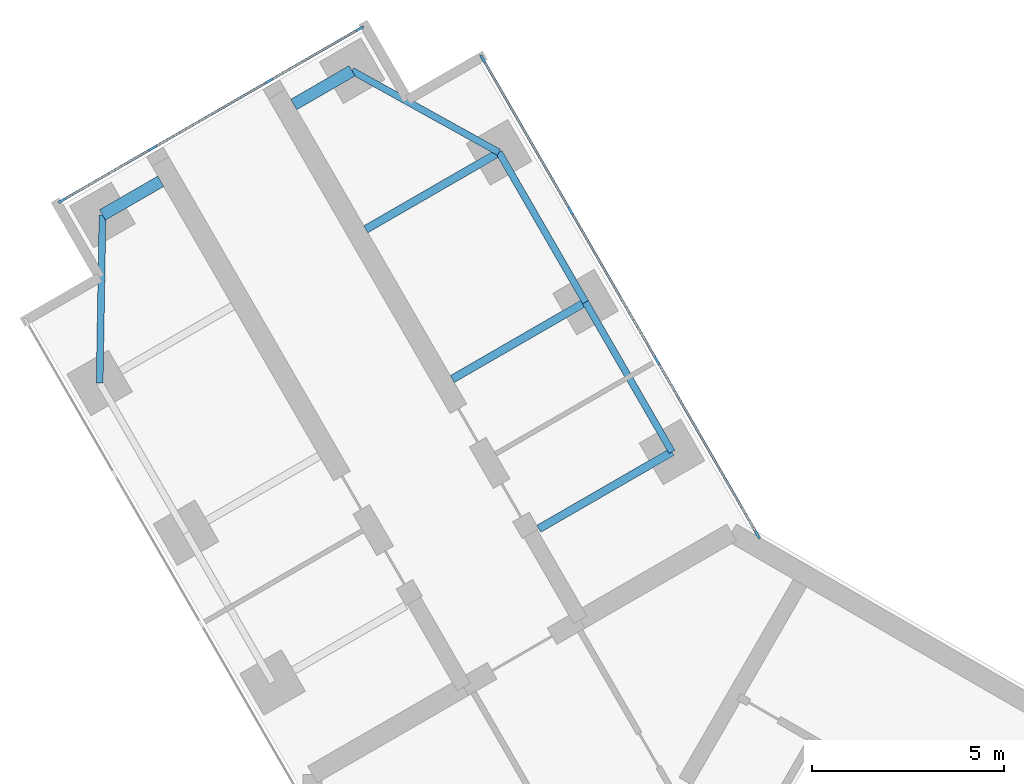
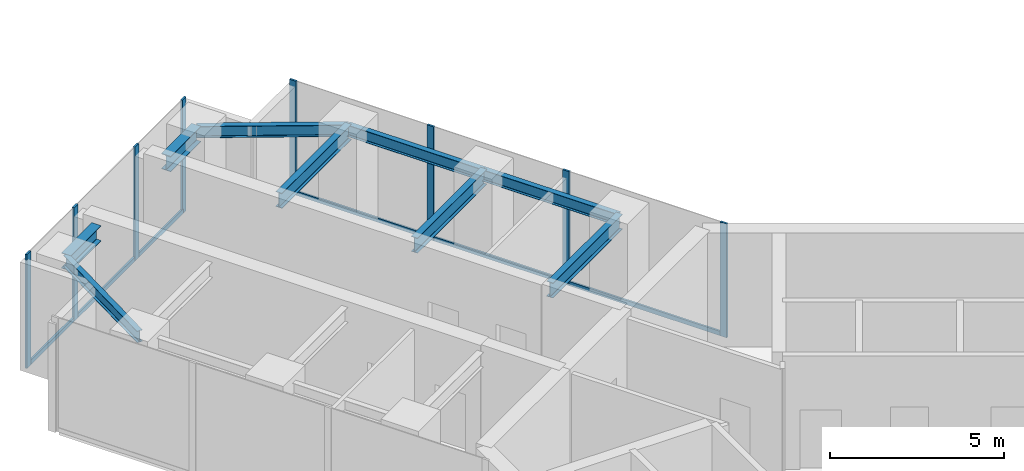
# One storey, part 6 of 18: 14 members, 9 beams, 2 elements without a shape of their own.
"""IFC4 building model written with IfcOpenShell, lengths in metres."""

from ifc_helpers import new_model, si_unit, direction, frame, origin, origin_2d, place, context, subcontext, project, spatial, rectangle, i_section, extrude, material, material_profile, profile_set, type_object, element, aggregate, save


model = new_model("IFC4")

# Units and contexts
model_context = context("Model", 3, precision=1e-05, world=origin(), true_north=direction((0.0, 1.0)))
body_context = subcontext(model_context, "Body", "Model", "MODEL_VIEW")
ifc_project = project(units=[si_unit("LENGTHUNIT", "METRE"), si_unit("AREAUNIT", "SQUARE_METRE"), si_unit("VOLUMEUNIT", "CUBIC_METRE"), si_unit("PLANEANGLEUNIT", "RADIAN"), si_unit("MASSUNIT", "GRAM", prefix="KILO")], contexts=[model_context])

# Site, building, storey
site_placement = place(None, origin())
site = spatial("IfcSite", under=ifc_project, at=site_placement, CompositionType="ELEMENT")
building_placement = place(site_placement, origin())
building = spatial("IfcBuilding", under=site, at=building_placement, Name="Upepo Twin Towers", CompositionType="ELEMENT")
storey_placement = place(building_placement, frame((0.0, 0.0, 170.5)))
storey = spatial("IfcBuildingStorey", under=building, at=storey_placement, Name="L41", CompositionType="ELEMENT", Elevation=170.5)

# Beams
ifc_material_1 = material(Name="Steel S355", Category="steel")
ifc_material_profile_1 = material_profile(ifc_material_1, i_section(OverallWidth=0.177978515625, OverallDepth=0.406494140625, WebThickness=0.0078125, FlangeThickness=0.0126953125, FilletRadius=0.01025390625, at=origin_2d()), Name="UB 406x178x60")
ifc_profile_set_1 = profile_set([ifc_material_profile_1], Name="Steel S355")
beam_type_1 = type_object("IfcBeamType", Name="Beam UB 406x178x60", PredefinedType="BEAM", material=ifc_profile_set_1)
beam_1_placement = place(storey_placement, frame((-16.446044921875, 16.485595703125, 3.5966796875), z_axis=(0.016803880528, 0.999858804832, 0.0), x_axis=(-0.999858804832, 0.016803880528, 0.0)))
element("IfcBeam", 1, at=beam_1_placement, inside=storey, type_object=beam_type_1, Name="T1 nose edge beam BL", PredefinedType="BEAM", context=body_context, shape_type="SweptSolid", body=[
    extrude(i_section(OverallWidth=0.177978515625, OverallDepth=0.406494140625, WebThickness=0.0078125, FlangeThickness=0.0126953125, FilletRadius=0.01025390625, at=origin_2d()), origin(), (0.0, 0.0, 1.0), 4.373291015625),
])
beam_2_placement = place(storey_placement, frame((-1.553955078125, 14.69140625, 3.5966796875), z_axis=(-0.500013631625, 0.866017533419, 0.0), x_axis=(-0.866017533419, -0.500013631625, 0.0)))
element("IfcBeam", 2, at=beam_2_placement, inside=storey, type_object=beam_type_1, Name="T1 edge beam BR 13.5-18.0", PredefinedType="BEAM", context=body_context, shape_type="SweptSolid", body=[
    extrude(i_section(OverallWidth=0.177978515625, OverallDepth=0.406494140625, WebThickness=0.0078125, FlangeThickness=0.0126953125, FilletRadius=0.01025390625, at=origin_2d()), origin(), (0.0, 0.0, 1.0), 4.499755859375),
])
beam_3_placement = place(storey_placement, frame((-3.803955078125, 18.58837890625, 3.5966796875), z_axis=(-0.499990139034, 0.866031096941, 0.0), x_axis=(-0.866031096941, -0.499990139034, 0.0)))
element("IfcBeam", 3, at=beam_3_placement, inside=storey, type_object=beam_type_1, Name="T1 edge beam BR 18.0-22.5", PredefinedType="BEAM", context=body_context, shape_type="SweptSolid", body=[
    extrude(i_section(OverallWidth=0.177978515625, OverallDepth=0.406494140625, WebThickness=0.0078125, FlangeThickness=0.0126953125, FilletRadius=0.01025390625, at=origin_2d()), origin(), (0.0, 0.0, 1.0), 4.5),
])
beam_4_placement = place(storey_placement, frame((-6.053955078125, 22.485595703125, 3.5966796875), z_axis=(-0.874312600038, 0.485363242752, 0.0), x_axis=(-0.485363242752, -0.874312600038, 0.0)))
element("IfcBeam", 4, at=beam_4_placement, inside=storey, type_object=beam_type_1, Name="T1 nose edge beam BR", PredefinedType="BEAM", context=body_context, shape_type="SweptSolid", body=[
    extrude(i_section(OverallWidth=0.177978515625, OverallDepth=0.406494140625, WebThickness=0.0078125, FlangeThickness=0.0126953125, FilletRadius=0.01025390625, at=origin_2d()), origin(), (0.0, 0.0, 1.0), 4.373046875),
])
ifc_material_2 = material(Name="Steel S355", Category="steel")
ifc_material_profile_2 = material_profile(ifc_material_2, i_section(OverallWidth=0.209228515625, OverallDepth=0.533203125, WebThickness=0.010009765625, FlangeThickness=0.015625, FilletRadius=0.0126953125, at=origin_2d()), Name="UB 533x210x92")
ifc_profile_set_2 = profile_set([ifc_material_profile_2], Name="Steel S355")
beam_type_2 = type_object("IfcBeamType", Name="Beam UB 533x210x92", PredefinedType="BEAM", material=ifc_profile_set_2)
for number, where, z_axis, x_axis, name in (
    (5, (-1.553955078125, 14.69140625, 3.533447265625), (-0.866026010844, -0.49999894854, 0.0), (0.49999894854, -0.866026010844, 0.0), "T1 girder BR at 13.5"),
    (6, (-3.803955078125, 18.58837890625, 3.533447265625), (-0.866026010844, -0.49999894854, 0.0), (0.49999894854, -0.866026010844, 0.0), "T1 girder BR at 18.0"),
    (7, (-6.053955078125, 22.485595703125, 3.533447265625), (-0.866026010844, -0.49999894854, 0.0), (0.49999894854, -0.866026010844, 0.0), "T1 girder BR at 22.5"),
):
    element("IfcBeam", number, at=place(storey_placement, frame(where, z_axis=z_axis, x_axis=x_axis)), inside=storey, type_object=beam_type_2, Name=name, PredefinedType="BEAM", context=body_context, shape_type="SweptSolid", body=[
        extrude(i_section(OverallWidth=0.209228515625, OverallDepth=0.533203125, WebThickness=0.010009765625, FlangeThickness=0.015625, FilletRadius=0.0126953125, at=origin_2d()), origin(), (0.0, 0.0, 1.0), 4.0),
    ])
ifc_material_3 = material(Name="Steel S355", Category="steel")
ifc_material_profile_3 = material_profile(ifc_material_3, i_section(OverallWidth=0.31201171875, OverallDepth=0.54345703125, WebThickness=0.0126953125, FlangeThickness=0.020263671875, FilletRadius=0.0126953125, at=origin_2d()), Name="UB 533x312x150")
ifc_profile_set_3 = profile_set([ifc_material_profile_3], Name="Steel S355")
beam_type_3 = type_object("IfcBeamType", Name="Beam UB 533x312x150", PredefinedType="BEAM", material=ifc_profile_set_3)
for number, where, z_axis, x_axis, name in (
    (8, (-16.37255859375, 20.858154296875, 3.5283203125), (0.866036909293, 0.499980071345, 0.0), (-0.499980071345, 0.866036909293, 0.0), "T1 nose beam BL"),
    (9, (-9.87744140625, 24.608154296875, 3.5283203125), (-0.866036909293, -0.499980071345, 0.0), (0.499980071345, -0.866036909293, 0.0), "T1 nose beam BR"),
):
    element("IfcBeam", number, at=place(storey_placement, frame(where, z_axis=z_axis, x_axis=x_axis)), inside=storey, type_object=beam_type_3, Name=name, PredefinedType="BEAM", context=body_context, shape_type="SweptSolid", body=[
        extrude(i_section(OverallWidth=0.31201171875, OverallDepth=0.54345703125, WebThickness=0.0126953125, FlangeThickness=0.020263671875, FilletRadius=0.0126953125, at=origin_2d()), origin(), (0.0, 0.0, 1.0), 1.75),
    ])

# Curtain wall, members
ifc_material_4 = material(Name="Aluminium and fritted glass", Category="aluminium")
curtain_wall_type = type_object("IfcCurtainWallType", Name="Tower curtain wall TW3, fritted glass", PredefinedType="NOTDEFINED", material=ifc_material_4)
curtain_wall_1_placement = place(storey_placement, origin())
curtain_wall_1 = element("IfcCurtainWall", 10, at=curtain_wall_1_placement, inside=storey, type_object=curtain_wall_type, Name="T1 L41 wing B flank R curtain wall", PredefinedType="NOTDEFINED")
ifc_material_5 = material(Name="Aluminium mullion", Category="aluminium")
ifc_material_profile_4 = material_profile(ifc_material_5, rectangle(XDim=0.06494140625, YDim=0.22509765625, at=origin_2d()), Name="MULLION 65x225")
ifc_profile_set_4 = profile_set([ifc_material_profile_4], Name="Aluminium mullion")
member_type_1 = type_object("IfcMemberType", Name="Mullion 65x225 TW3", PredefinedType="MULLION", material=ifc_profile_set_4)
member_1_placement = place(storey_placement, frame((-6.4765625, 24.91748046875, 0.0), z_axis=(0.0, 0.0, 1.0), x_axis=(0.866025388469, 0.500000026527, 0.0)))
member_1 = element("IfcMember", 11, at=member_1_placement, type_object=member_type_1, Name="T1 L41 wing B flank R curtain wall mullion 1", PredefinedType="MULLION", context=body_context, shape_type="SweptSolid", body=[
    extrude(rectangle(XDim=0.06494140625, YDim=0.22509765625, at=origin_2d()), origin(), (0.0, 0.0, 1.0), 4.0),
])
member_2_placement = place(storey_placement, frame((-4.192626953125, 20.9619140625, 0.0), z_axis=(0.0, 0.0, 1.0), x_axis=(0.866025388469, 0.500000026527, 0.0)))
member_2 = element("IfcMember", 12, at=member_2_placement, type_object=member_type_1, Name="T1 L41 wing B flank R curtain wall mullion 2", PredefinedType="MULLION", context=body_context, shape_type="SweptSolid", body=[
    extrude(rectangle(XDim=0.06494140625, YDim=0.22509765625, at=origin_2d()), origin(), (0.0, 0.0, 1.0), 4.0),
])
member_3_placement = place(storey_placement, frame((-1.942626953125, 17.06494140625, 0.0), z_axis=(0.0, 0.0, 1.0), x_axis=(0.866025388469, 0.500000026527, 0.0)))
member_3 = element("IfcMember", 13, at=member_3_placement, type_object=member_type_1, Name="T1 L41 wing B flank R curtain wall mullion 3", PredefinedType="MULLION", context=body_context, shape_type="SweptSolid", body=[
    extrude(rectangle(XDim=0.06494140625, YDim=0.22509765625, at=origin_2d()), origin(), (0.0, 0.0, 1.0), 4.0),
])
member_4_placement = place(storey_placement, frame((0.67236328125, 12.53515625, 0.0), z_axis=(0.0, 0.0, 1.0), x_axis=(0.866025388469, 0.500000026527, 0.0)))
member_4 = element("IfcMember", 14, at=member_4_placement, type_object=member_type_1, Name="T1 L41 wing B flank R curtain wall mullion 4", PredefinedType="MULLION", context=body_context, shape_type="SweptSolid", body=[
    extrude(rectangle(XDim=0.06494140625, YDim=0.22509765625, at=origin_2d()), origin(), (0.0, 0.0, 1.0), 4.0),
])

curtain_wall_2_placement = place(storey_placement, origin())
curtain_wall_2 = element("IfcCurtainWall", 15, at=curtain_wall_2_placement, inside=storey, type_object=curtain_wall_type, Name="T1 L41 wing B nose curtain wall", PredefinedType="NOTDEFINED")
member_5_placement = place(storey_placement, frame((-9.68115234375, 25.703125, 0.0), z_axis=(0.0, 0.0, 1.0), x_axis=(0.500000030502, -0.866025386174, 0.0)))
member_5 = element("IfcMember", 16, at=member_5_placement, type_object=member_type_1, Name="T1 L41 wing B nose curtain wall mullion 1", PredefinedType="MULLION", context=body_context, shape_type="SweptSolid", body=[
    extrude(rectangle(XDim=0.06494140625, YDim=0.22509765625, at=origin_2d()), origin(), (0.0, 0.0, 1.0), 4.0),
])
member_6_placement = place(storey_placement, frame((-12.034423828125, 24.34423828125, 0.0), z_axis=(0.0, 0.0, 1.0), x_axis=(0.500000030502, -0.866025386174, 0.0)))
member_6 = element("IfcMember", 17, at=member_6_placement, type_object=member_type_1, Name="T1 L41 wing B nose curtain wall mullion 2", PredefinedType="MULLION", context=body_context, shape_type="SweptSolid", body=[
    extrude(rectangle(XDim=0.06494140625, YDim=0.22509765625, at=origin_2d()), origin(), (0.0, 0.0, 1.0), 4.0),
])
member_7_placement = place(storey_placement, frame((-15.0654296875, 22.59423828125, 0.0), z_axis=(0.0, 0.0, 1.0), x_axis=(0.500000030502, -0.866025386174, 0.0)))
member_7 = element("IfcMember", 18, at=member_7_placement, type_object=member_type_1, Name="T1 L41 wing B nose curtain wall mullion 3", PredefinedType="MULLION", context=body_context, shape_type="SweptSolid", body=[
    extrude(rectangle(XDim=0.06494140625, YDim=0.22509765625, at=origin_2d()), origin(), (0.0, 0.0, 1.0), 4.0),
])
member_8_placement = place(storey_placement, frame((-17.4189453125, 21.235595703125, 0.0), z_axis=(0.0, 0.0, 1.0), x_axis=(0.500000030502, -0.866025386174, 0.0)))
member_8 = element("IfcMember", 19, at=member_8_placement, type_object=member_type_1, Name="T1 L41 wing B nose curtain wall mullion 4", PredefinedType="MULLION", context=body_context, shape_type="SweptSolid", body=[
    extrude(rectangle(XDim=0.06494140625, YDim=0.22509765625, at=origin_2d()), origin(), (0.0, 0.0, 1.0), 4.0),
])

# Member
ifc_material_6 = material(Name="Aluminium transom", Category="aluminium")
ifc_material_profile_5 = material_profile(ifc_material_6, rectangle(XDim=0.06494140625, YDim=0.14990234375, at=origin_2d()), Name="TRANSOM 65x150")
ifc_profile_set_5 = profile_set([ifc_material_profile_5], Name="Aluminium transom")
member_type_2 = type_object("IfcMemberType", Name="Transom 65x150 TW3", PredefinedType="USERDEFINED", material=ifc_profile_set_5)
member_9_placement = place(storey_placement, frame((-6.460205078125, 24.889404296875, 0.074951171875), z_axis=(0.500005646842, -0.866022143554, 0.0), x_axis=(0.866022143554, 0.500005646842, 0.0)))
member_9 = element("IfcMember", 20, at=member_9_placement, type_object=member_type_2, Name="T1 L41 wing B flank R curtain wall transom 1", ObjectType="TRANSOM", PredefinedType="USERDEFINED", context=body_context, shape_type="SweptSolid", body=[
    extrude(rectangle(XDim=0.06494140625, YDim=0.14990234375, at=origin_2d()), origin(), (0.0, 0.0, 1.0), 4.50244140625),
])

member_10_placement = place(storey_placement, frame((-4.176513671875, 20.933837890625, 0.074951171875), z_axis=(0.500005184116, -0.866022410713, 0.0), x_axis=(0.866022410713, 0.500005184116, 0.0)))
member_10 = element("IfcMember", 21, at=member_10_placement, type_object=member_type_2, Name="T1 L41 wing B flank R curtain wall transom 2", ObjectType="TRANSOM", PredefinedType="USERDEFINED", context=body_context, shape_type="SweptSolid", body=[
    extrude(rectangle(XDim=0.06494140625, YDim=0.14990234375, at=origin_2d()), origin(), (0.0, 0.0, 1.0), 4.43505859375),
])

member_11_placement = place(storey_placement, frame((-1.926513671875, 17.036865234375, 0.074951171875), z_axis=(0.500007480159, -0.86602108507, 0.0), x_axis=(0.86602108507, 0.500007480159, 0.0)))
member_11 = element("IfcMember", 22, at=member_11_placement, type_object=member_type_2, Name="T1 L41 wing B flank R curtain wall transom 3", ObjectType="TRANSOM", PredefinedType="USERDEFINED", context=body_context, shape_type="SweptSolid", body=[
    extrude(rectangle(XDim=0.06494140625, YDim=0.14990234375, at=origin_2d()), origin(), (0.0, 0.0, 1.0), 5.16552734375),
])

aggregate(curtain_wall_1, [member_1, member_2, member_3, member_4, member_9, member_10, member_11])

member_12_placement = place(storey_placement, frame((-9.709228515625, 25.686767578125, 0.074951171875), z_axis=(-0.866036909293, -0.499980071345, 0.0), x_axis=(0.499980071345, -0.866036909293, 0.0)))
member_12 = element("IfcMember", 23, at=member_12_placement, type_object=member_type_2, Name="T1 L41 wing B nose curtain wall transom 1", ObjectType="TRANSOM", PredefinedType="USERDEFINED", context=body_context, shape_type="SweptSolid", body=[
    extrude(rectangle(XDim=0.06494140625, YDim=0.14990234375, at=origin_2d()), origin(), (0.0, 0.0, 1.0), 2.65234375),
])

member_13_placement = place(storey_placement, frame((-12.0625, 24.328125, 0.074951171875), z_axis=(-0.866025804792, -0.499999305434, 0.0), x_axis=(0.499999305434, -0.866025804792, 0.0)))
member_13 = element("IfcMember", 24, at=member_13_placement, type_object=member_type_2, Name="T1 L41 wing B nose curtain wall transom 2", ObjectType="TRANSOM", PredefinedType="USERDEFINED", context=body_context, shape_type="SweptSolid", body=[
    extrude(rectangle(XDim=0.06494140625, YDim=0.14990234375, at=origin_2d()), origin(), (0.0, 0.0, 1.0), 3.43505859375),
])

member_14_placement = place(storey_placement, frame((-15.09375, 22.578125, 0.074951171875), z_axis=(-0.865997053448, -0.500049101008, 0.0), x_axis=(0.500049101008, -0.865997053448, 0.0)))
member_14 = element("IfcMember", 25, at=member_14_placement, type_object=member_type_2, Name="T1 L41 wing B nose curtain wall transom 3", ObjectType="TRANSOM", PredefinedType="USERDEFINED", context=body_context, shape_type="SweptSolid", body=[
    extrude(rectangle(XDim=0.06494140625, YDim=0.14990234375, at=origin_2d()), origin(), (0.0, 0.0, 1.0), 2.652587890625),
])

aggregate(curtain_wall_2, [member_5, member_6, member_7, member_8, member_12, member_13, member_14])

save(model, "model.ifc")
